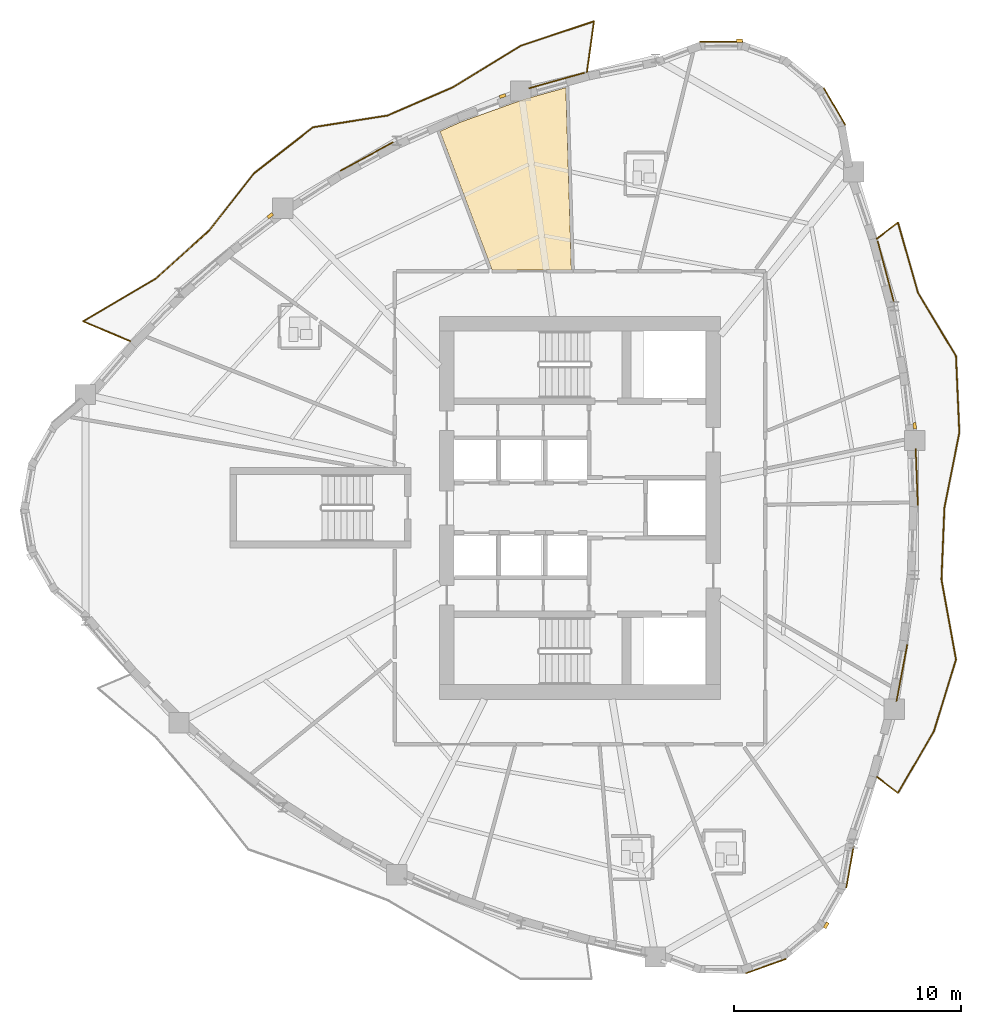
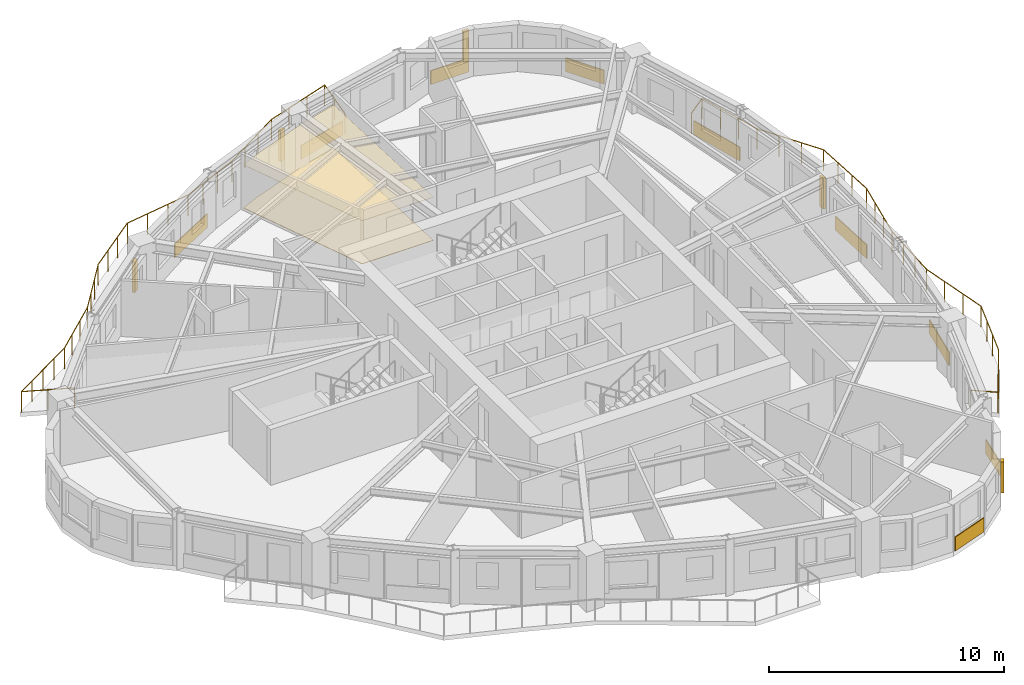
# One storey, part 11 of 12: 11 coverings, 5 shading devices, 2 railings.
"""IFC4 building model written with IfcOpenShell, lengths in metres."""

from ifc_helpers import new_model, si_unit, direction, frame, origin, origin_2d, place, context, subcontext, project, spatial, polyline, rectangle, circle, outline, extrude, source, transform, mapped, material, layer, layer_set, type_object, element, save


model = new_model("IFC4")

# Units and contexts
model_context = context("Model", 3, precision=1e-05, world=origin(), true_north=direction((0.0, 1.0)))
body_context = subcontext(model_context, "Body", "Model", "MODEL_VIEW")
ifc_project = project(units=[si_unit("LENGTHUNIT", "METRE"), si_unit("AREAUNIT", "SQUARE_METRE"), si_unit("VOLUMEUNIT", "CUBIC_METRE"), si_unit("PLANEANGLEUNIT", "RADIAN"), si_unit("MASSUNIT", "GRAM", prefix="KILO")], contexts=[model_context])

# Site, building, storey
site_placement = place(None, origin())
site = spatial("IfcSite", under=ifc_project, at=site_placement, CompositionType="ELEMENT")
building_placement = place(site_placement, origin())
building = spatial("IfcBuilding", under=site, at=building_placement, Name="Qafzar Sky-Pleat Residences", CompositionType="ELEMENT")
storey_placement = place(building_placement, frame((0.0, 0.0, 124.800048828125)))
storey = spatial("IfcBuildingStorey", under=building, at=storey_placement, Name="L37", CompositionType="ELEMENT", Elevation=124.800048828125)

# Coverings
ifc_material_1 = material(Name="Perforated acoustic gypsum board ceiling")
ifc_layer_1 = layer(ifc_material_1, 0.02001953125)
ifc_layer_set_1 = layer_set([ifc_layer_1], Name="Perforated acoustic gypsum board ceiling")
covering_type_1 = type_object("IfcCoveringType", Name="COV-CEIL-ACOUSTIC", PredefinedType="CEILING", material=ifc_layer_set_1)
covering_1_placement = place(storey_placement, frame((0.0, 0.0, 2.239990234375)))
element("IfcCovering", 1, at=covering_1_placement, inside=storey, type_object=covering_type_1, Name="L37 Communal Kitchen Acoustic Ceiling", PredefinedType="CEILING", context=body_context, shape_type="SweptSolid", body=[
    extrude(outline(polyline([(27.864013671875, 44.015380859375), (29.726806640625, 44.53662109375), (29.97119140625, 36.489990234375), (26.4736328125, 36.489990234375), (24.174560546875, 42.6103515625), (25.094482421875, 43.020263671875), (27.864013671875, 44.015380859375)])), origin(), (0.0, 0.0, 1.0), 0.02001953125),
])
ifc_material_2 = material(Name="Honed porcelain and Riyadh stone tile flooring", Category="masonry")
ifc_layer_2 = layer(ifc_material_2, 0.02001953125)
ifc_layer_set_2 = layer_set([ifc_layer_2], Name="Honed porcelain and Riyadh stone tile flooring")
covering_type_2 = type_object("IfcCoveringType", Name="COV-FLR-PORCELAIN", PredefinedType="FLOORING", material=ifc_layer_set_2)
covering_2_placement = place(storey_placement, origin())
element("IfcCovering", 2, at=covering_2_placement, inside=storey, type_object=covering_type_2, Name="L37 Communal Kitchen Honed Stone Flooring", PredefinedType="FLOORING", context=body_context, shape_type="SweptSolid", body=[
    extrude(outline(polyline([(27.864013671875, 44.015380859375), (29.726806640625, 44.53662109375), (29.97119140625, 36.489990234375), (26.4736328125, 36.489990234375), (24.174560546875, 42.6103515625), (25.094482421875, 43.020263671875), (27.864013671875, 44.015380859375)])), origin(), (0.0, 0.0, 1.0), 0.02001953125),
])

# Shading devices
ifc_material_3 = material(Name="Honed Riyadh limestone solar fin", Category="masonry")
ifc_layer_3 = layer(ifc_material_3, 0.139892578125)
ifc_layer_set_3 = layer_set([ifc_layer_3], Name="Honed Riyadh limestone solar fin")
shading_device_type = type_object("IfcShadingDeviceType", Name="SHD-FIN-STONE", PredefinedType="SHUTTER", material=ifc_layer_set_3)
shared_shape_1 = source(origin(), body_context, "Body", "SweptSolid", [
    extrude(rectangle(XDim=0.139892578125, YDim=0.280029296875, at=origin_2d()), origin(), (0.0, 0.0, 1.0), 1.60009765625),
])
for number, where, z_axis, x_axis, name in (
    (3, (41.214111328125, 7.57666015625, 0.599853515625), (0.0, 0.0, 1.0), (0.864874104555, -0.501988827833, 0.0), "L37 Limestone Solar Fin 21"),
    (4, (45.11865234375, 29.6123046875, 0.599853515625), (0.0, 0.0, 1.0), (0.993563843367, 0.11327351479, 0.0), "L37 Limestone Solar Fin 29"),
    (5, (37.387939453125, 46.609130859375, 0.599853515625), (0.0, 0.0, 1.0), (-0.006821393447, 0.999976734025, 0.0), "L37 Limestone Solar Fin 37"),
    (6, (26.93798828125, 44.166015625, 0.599853515625), (0.0, 0.0, 1.0), (-0.338171251252, 0.941084589623, 0.0), "L37 Limestone Solar Fin 41"),
    (7, (16.68310546875, 38.885498046875, 0.599853515625), (0.0, 0.0, 1.0), (-0.602208472618, 0.798338872602, 0.0), "L37 Limestone Solar Fin 45"),
):
    element("IfcShadingDevice", number, at=place(storey_placement, frame(where, z_axis=z_axis, x_axis=x_axis)), inside=storey, type_object=shading_device_type, Name=name, PredefinedType="SHUTTER", context=body_context, shape_type="MappedRepresentation", body=[
        mapped(shared_shape_1, transform((0.0, 0.0, 0.0), x_axis=(1.0, 0.0, 0.0), y_axis=(0.0, 1.0, 0.0), z_axis=(0.0, 0.0, 1.0), scale=1.0)),
    ])

# Coverings
ifc_material_4 = material(Name="Honed Riyadh Tuwaiq limestone cladding", Category="masonry")
ifc_layer_4 = layer(ifc_material_4, 0.044921875)
ifc_layer_set_4 = layer_set([ifc_layer_4], Name="Honed Riyadh Tuwaiq limestone cladding")
covering_type_3 = type_object("IfcCoveringType", Name="COV-CLAD-STONE", PredefinedType="CLADDING", material=ifc_layer_set_4)
shared_shape_2 = source(origin(), body_context, "Body", "SweptSolid", [
    extrude(rectangle(XDim=1.88916015625, YDim=0.044921875, at=origin_2d()), origin(), (0.0, 0.0, 1.0), 0.719970703125),
])
for number, where, z_axis, x_axis, name in (
    (8, (38.554443359375, 5.774658203125, 0.02001953125), (0.0, 0.0, 1.0), (0.941518591784, 0.336961038289, 0.0), "L37 Riyadh Limestone Spandrel Cladding 19"),
    (9, (41.5810546875, 43.70556640625, 0.02001953125), (0.0, 0.0, 1.0), (-0.50197689344, 0.864881031387, 0.0), "L37 Riyadh Limestone Spandrel Cladding 34"),
    (10, (36.583251953125, 46.560546875, 0.02001953125), (0.0, 0.0, 1.0), (-0.99997646822, -0.006860248279, 0.0), "L37 Riyadh Limestone Spandrel Cladding 37"),
):
    element("IfcCovering", number, at=place(storey_placement, frame(where, z_axis=z_axis, x_axis=x_axis)), inside=storey, type_object=covering_type_3, Name=name, PredefinedType="CLADDING", context=body_context, shape_type="MappedRepresentation", body=[
        mapped(shared_shape_2, transform((0.0, 0.0, 0.0), x_axis=(1.0, 0.0, 0.0), y_axis=(0.0, 1.0, 0.0), z_axis=(0.0, 0.0, 1.0), scale=1.0)),
    ])
shared_shape_3 = source(origin(), body_context, "Body", "SweptSolid", [
    extrude(rectangle(XDim=1.8369140625, YDim=0.044921875, at=origin_2d()), origin(), (0.0, 0.0, 1.0), 0.719970703125),
])
covering_3_placement = place(storey_placement, frame((42.2626953125, 10.14404296875, 0.02001953125), z_axis=(0.0, 0.0, 1.0), x_axis=(0.174361037484, 0.984681790533, 0.0)))
element("IfcCovering", 11, at=covering_3_placement, inside=storey, type_object=covering_type_3, Name="L37 Riyadh Limestone Spandrel Cladding 22", PredefinedType="CLADDING", context=body_context, shape_type="MappedRepresentation", body=[
    mapped(shared_shape_3, transform((0.0, 0.0, 0.0), x_axis=(1.0, 0.0, 0.0), y_axis=(0.0, 1.0, 0.0), z_axis=(0.0, 0.0, 1.0), scale=1.0)),
])

# Railings
ifc_material_5 = material(Name="Laminated glass and bronze steel balustrade", Category="steel")
railing_type = type_object("IfcRailingType", Name="RAIL-BAL-1100", PredefinedType="BALUSTRADE", material=ifc_material_5)
shared_shape_4 = source(origin(), body_context, "Body", "SweptSolid", [
    extrude(circle(Radius=0.02392578125, at=origin_2d()), frame((0.0, 0.0, 1.076171875), z_axis=(0.792932063794, -0.609310054248, 0.0), x_axis=(0.609310054248, 0.792932063794, 0.0)), (0.0, 0.0, 1.0), 1.177978515625),
    extrude(circle(Radius=0.02392578125, at=origin_2d()), frame((0.93408203125, -0.7177734375, 1.076171875), z_axis=(0.50280024579, 0.864402633519, 0.0), x_axis=(-0.864402633519, 0.50280024579, 0.0)), (0.0, 0.0, 1.0), 3.162353515625),
    extrude(circle(Radius=0.02392578125, at=origin_2d()), frame((2.524169921875, 2.015869140625, 1.076171875), z_axis=(0.293530849641, 0.955949601344, 0.0), x_axis=(-0.955949601344, 0.293530849641, 0.0)), (0.0, 0.0, 1.0), 3.307861328125),
    extrude(circle(Radius=0.02392578125, at=origin_2d()), frame((3.4951171875, 5.177978515625, 1.076171875), z_axis=(-0.179185435941, 0.983815317804, 0.0), x_axis=(-0.983815317804, -0.179185435941, 0.0)), (0.0, 0.0, 1.0), 3.58056640625),
    extrude(circle(Radius=0.02392578125, at=origin_2d()), frame((2.853515625, 8.70068359375, 1.076171875), z_axis=(0.040954900218, 0.99916099611, 0.0), x_axis=(-0.99916099611, 0.040954900218, 0.0)), (0.0, 0.0, 1.0), 3.17138671875),
    extrude(circle(Radius=0.02392578125, at=origin_2d()), frame((2.9833984375, 11.869384765625, 1.076171875), z_axis=(0.195321920693, 0.980739184134, 0.0), x_axis=(-0.980739184134, 0.195321920693, 0.0)), (0.0, 0.0, 1.0), 3.369873046875),
    extrude(circle(Radius=0.02392578125, at=origin_2d()), frame((3.6416015625, 15.17431640625, 1.076171875), z_axis=(-0.04321530311, 0.999065782407, 0.0), x_axis=(-0.999065782407, -0.04321530311, 0.0)), (0.0, 0.0, 1.0), 3.3896484375),
    extrude(circle(Radius=0.02392578125, at=origin_2d()), frame((3.4951171875, 18.560791015625, 1.076171875), z_axis=(-0.515846195278, 0.856681214231, 0.0), x_axis=(-0.856681214231, -0.515846195278, 0.0)), (0.0, 0.0, 1.0), 3.241943359375),
    extrude(circle(Radius=0.02392578125, at=origin_2d()), frame((1.82275390625, 21.338134765625, 1.076171875), z_axis=(-0.274064740499, 0.961711244613, 0.0), x_axis=(-0.961711244613, -0.274064740499, 0.0)), (0.0, 0.0, 1.0), 3.24267578125),
    extrude(circle(Radius=0.02392578125, at=origin_2d()), frame((0.93408203125, 24.45654296875, 1.076171875), z_axis=(-0.792932063794, -0.609310054248, 0.0), x_axis=(0.609310054248, -0.792932063794, 0.0)), (0.0, 0.0, 1.0), 1.177978515625),
    extrude(circle(Radius=0.02099609375, at=origin_2d()), origin(), (0.0, 0.0, 1.0), 1.052001953125),
    extrude(circle(Radius=0.02099609375, at=origin_2d()), frame((0.93408203125, -0.7177734375, 0.0)), (0.0, 0.0, 1.0), 1.052001953125),
    extrude(circle(Radius=0.02099609375, at=origin_2d()), frame((1.464111328125, 0.193359375, 0.0)), (0.0, 0.0, 1.0), 1.052001953125),
    extrude(circle(Radius=0.02099609375, at=origin_2d()), frame((1.994140625, 1.104736328125, 0.0)), (0.0, 0.0, 1.0), 1.052001953125),
    extrude(circle(Radius=0.02099609375, at=origin_2d()), frame((2.524169921875, 2.015869140625, 0.0)), (0.0, 0.0, 1.0), 1.052001953125),
    extrude(circle(Radius=0.02099609375, at=origin_2d()), frame((2.847900390625, 3.06982421875, 0.0)), (0.0, 0.0, 1.0), 1.052001953125),
    extrude(circle(Radius=0.02099609375, at=origin_2d()), frame((3.17138671875, 4.1240234375, 0.0)), (0.0, 0.0, 1.0), 1.052001953125),
    extrude(circle(Radius=0.02099609375, at=origin_2d()), frame((3.4951171875, 5.177978515625, 0.0)), (0.0, 0.0, 1.0), 1.052001953125),
    extrude(circle(Radius=0.02099609375, at=origin_2d()), frame((3.28125, 6.352294921875, 0.0)), (0.0, 0.0, 1.0), 1.052001953125),
    extrude(circle(Radius=0.02099609375, at=origin_2d()), frame((3.0673828125, 7.5263671875, 0.0)), (0.0, 0.0, 1.0), 1.052001953125),
    extrude(circle(Radius=0.02099609375, at=origin_2d()), frame((2.853515625, 8.70068359375, 0.0)), (0.0, 0.0, 1.0), 1.052001953125),
    extrude(circle(Radius=0.02099609375, at=origin_2d()), frame((2.896728515625, 9.7568359375, 0.0)), (0.0, 0.0, 1.0), 1.052001953125),
    extrude(circle(Radius=0.02099609375, at=origin_2d()), frame((2.940185546875, 10.813232421875, 0.0)), (0.0, 0.0, 1.0), 1.052001953125),
    extrude(circle(Radius=0.02099609375, at=origin_2d()), frame((2.9833984375, 11.869384765625, 0.0)), (0.0, 0.0, 1.0), 1.052001953125),
    extrude(circle(Radius=0.02099609375, at=origin_2d()), frame((3.202880859375, 12.970947265625, 0.0)), (0.0, 0.0, 1.0), 1.052001953125),
    extrude(circle(Radius=0.02099609375, at=origin_2d()), frame((3.422119140625, 14.07275390625, 0.0)), (0.0, 0.0, 1.0), 1.052001953125),
    extrude(circle(Radius=0.02099609375, at=origin_2d()), frame((3.6416015625, 15.17431640625, 0.0)), (0.0, 0.0, 1.0), 1.052001953125),
    extrude(circle(Radius=0.02099609375, at=origin_2d()), frame((3.5927734375, 16.30322265625, 0.0)), (0.0, 0.0, 1.0), 1.052001953125),
    extrude(circle(Radius=0.02099609375, at=origin_2d()), frame((3.5439453125, 17.431884765625, 0.0)), (0.0, 0.0, 1.0), 1.052001953125),
    extrude(circle(Radius=0.02099609375, at=origin_2d()), frame((3.4951171875, 18.560791015625, 0.0)), (0.0, 0.0, 1.0), 1.052001953125),
    extrude(circle(Radius=0.02099609375, at=origin_2d()), frame((2.937744140625, 19.486572265625, 0.0)), (0.0, 0.0, 1.0), 1.052001953125),
    extrude(circle(Radius=0.02099609375, at=origin_2d()), frame((2.380126953125, 20.412353515625, 0.0)), (0.0, 0.0, 1.0), 1.052001953125),
    extrude(circle(Radius=0.02099609375, at=origin_2d()), frame((1.82275390625, 21.338134765625, 0.0)), (0.0, 0.0, 1.0), 1.052001953125),
    extrude(circle(Radius=0.02099609375, at=origin_2d()), frame((1.526611328125, 22.377685546875, 0.0)), (0.0, 0.0, 1.0), 1.052001953125),
    extrude(circle(Radius=0.02099609375, at=origin_2d()), frame((1.230224609375, 23.4169921875, 0.0)), (0.0, 0.0, 1.0), 1.052001953125),
    extrude(circle(Radius=0.02099609375, at=origin_2d()), frame((0.93408203125, 24.45654296875, 0.0)), (0.0, 0.0, 1.0), 1.052001953125),
    extrude(circle(Radius=0.02099609375, at=origin_2d()), frame((0.0, 23.73876953125, 0.0)), (0.0, 0.0, 1.0), 1.052001953125),
])
railing_1_placement = place(storey_placement, frame((43.4462890625, 14.130615234375, 0.0)))
element("IfcRailing", 12, at=railing_1_placement, inside=storey, type_object=railing_type, Name="L37 Pleated Balcony 1 Balustrade", PredefinedType="BALUSTRADE", context=body_context, shape_type="MappedRepresentation", body=[
    mapped(shared_shape_4, transform((0.0, 0.0, 0.0), x_axis=(1.0, 0.0, 0.0), y_axis=(0.0, 1.0, 0.0), z_axis=(0.0, 0.0, 1.0), scale=1.0)),
])
shared_shape_5 = source(origin(), body_context, "Body", "SweptSolid", [
    extrude(circle(Radius=0.02392578125, at=origin_2d()), frame((0.0, 0.0, 1.076171875), z_axis=(0.136964805179, 0.990575914376, 0.0), x_axis=(-0.990575914376, 0.136964805179, 0.0)), (0.0, 0.0, 1.0), 2.27099609375),
    extrude(circle(Radius=0.02392578125, at=origin_2d()), frame((0.31103515625, 2.24951171875, 1.076171875), z_axis=(-0.948504991036, -0.316762185211, 0.0), x_axis=(0.316762185211, -0.948504991036, 0.0)), (0.0, 0.0, 1.0), 3.426025390625),
    extrude(circle(Radius=0.02392578125, at=origin_2d()), frame((-2.9384765625, 1.164306640625, 1.076171875), z_axis=(-0.85265153756, -0.522480004877, 0.0), x_axis=(0.522480004877, -0.85265153756, 0.0)), (0.0, 0.0, 1.0), 3.48876953125),
    extrude(circle(Radius=0.02392578125, at=origin_2d()), frame((-5.9130859375, -0.658447265625, 1.076171875), z_axis=(-0.917493090818, -0.397751716906, 0.0), x_axis=(0.397751716906, -0.917493090818, 0.0)), (0.0, 0.0, 1.0), 3.134033203125),
    extrude(circle(Radius=0.02392578125, at=origin_2d()), frame((-8.78857421875, -1.905029296875, 1.076171875), z_axis=(-0.987837119811, -0.155492201486, 0.0), x_axis=(0.155492201486, -0.987837119811, 0.0)), (0.0, 0.0, 1.0), 3.331787109375),
    extrude(circle(Radius=0.02392578125, at=origin_2d()), frame((-12.079833984375, -2.423095703125, 1.076171875), z_axis=(-0.788517401725, -0.615012444733, 0.0), x_axis=(0.615012444733, -0.788517401725, 0.0)), (0.0, 0.0, 1.0), 3.2939453125),
    extrude(circle(Radius=0.02392578125, at=origin_2d()), frame((-14.67724609375, -4.448974609375, 1.076171875), z_axis=(-0.617419143913, -0.786634350083, 0.0), x_axis=(0.786634350083, -0.617419143913, 0.0)), (0.0, 0.0, 1.0), 3.216064453125),
    extrude(circle(Radius=0.02392578125, at=origin_2d()), frame((-16.662841796875, -6.978759765625, 1.076171875), z_axis=(-0.742752641573, -0.669565914184, 0.0), x_axis=(0.669565914184, -0.742752641573, 0.0)), (0.0, 0.0, 1.0), 3.162353515625),
    extrude(circle(Radius=0.02392578125, at=origin_2d()), frame((-19.01171875, -9.09619140625, 1.076171875), z_axis=(-0.861538461538, -0.507692307692, 0.0), x_axis=(0.507692307692, -0.861538461538, 0.0)), (0.0, 0.0, 1.0), 3.729248046875),
    extrude(circle(Radius=0.02392578125, at=origin_2d()), frame((-22.224609375, -10.989501953125, 1.076171875), z_axis=(0.92188612013, -0.387460941918, 0.0), x_axis=(0.387460941918, 0.92188612013, 0.0)), (0.0, 0.0, 1.0), 2.27099609375),
    extrude(circle(Radius=0.02099609375, at=origin_2d()), origin(), (0.0, 0.0, 1.0), 1.052001953125),
    extrude(circle(Radius=0.02099609375, at=origin_2d()), frame((0.155517578125, 1.124755859375, 0.0)), (0.0, 0.0, 1.0), 1.052001953125),
    extrude(circle(Radius=0.02099609375, at=origin_2d()), frame((0.31103515625, 2.24951171875, 0.0)), (0.0, 0.0, 1.0), 1.052001953125),
    extrude(circle(Radius=0.02099609375, at=origin_2d()), frame((-0.772216796875, 1.8876953125, 0.0)), (0.0, 0.0, 1.0), 1.052001953125),
    extrude(circle(Radius=0.02099609375, at=origin_2d()), frame((-1.855224609375, 1.526123046875, 0.0)), (0.0, 0.0, 1.0), 1.052001953125),
    extrude(circle(Radius=0.02099609375, at=origin_2d()), frame((-2.9384765625, 1.164306640625, 0.0)), (0.0, 0.0, 1.0), 1.052001953125),
    extrude(circle(Radius=0.02099609375, at=origin_2d()), frame((-3.929931640625, 0.556640625, 0.0)), (0.0, 0.0, 1.0), 1.052001953125),
    extrude(circle(Radius=0.02099609375, at=origin_2d()), frame((-4.921630859375, -0.05078125, 0.0)), (0.0, 0.0, 1.0), 1.052001953125),
    extrude(circle(Radius=0.02099609375, at=origin_2d()), frame((-5.9130859375, -0.658447265625, 0.0)), (0.0, 0.0, 1.0), 1.052001953125),
    extrude(circle(Radius=0.02099609375, at=origin_2d()), frame((-6.87158203125, -1.073974609375, 0.0)), (0.0, 0.0, 1.0), 1.052001953125),
    extrude(circle(Radius=0.02099609375, at=origin_2d()), frame((-7.830078125, -1.489501953125, 0.0)), (0.0, 0.0, 1.0), 1.052001953125),
    extrude(circle(Radius=0.02099609375, at=origin_2d()), frame((-8.78857421875, -1.905029296875, 0.0)), (0.0, 0.0, 1.0), 1.052001953125),
    extrude(circle(Radius=0.02099609375, at=origin_2d()), frame((-9.8857421875, -2.07763671875, 0.0)), (0.0, 0.0, 1.0), 1.052001953125),
    extrude(circle(Radius=0.02099609375, at=origin_2d()), frame((-10.982666015625, -2.25048828125, 0.0)), (0.0, 0.0, 1.0), 1.052001953125),
    extrude(circle(Radius=0.02099609375, at=origin_2d()), frame((-12.079833984375, -2.423095703125, 0.0)), (0.0, 0.0, 1.0), 1.052001953125),
    extrude(circle(Radius=0.02099609375, at=origin_2d()), frame((-12.945556640625, -3.098388671875, 0.0)), (0.0, 0.0, 1.0), 1.052001953125),
    extrude(circle(Radius=0.02099609375, at=origin_2d()), frame((-13.8115234375, -3.773681640625, 0.0)), (0.0, 0.0, 1.0), 1.052001953125),
    extrude(circle(Radius=0.02099609375, at=origin_2d()), frame((-14.67724609375, -4.448974609375, 0.0)), (0.0, 0.0, 1.0), 1.052001953125),
    extrude(circle(Radius=0.02099609375, at=origin_2d()), frame((-15.339111328125, -5.292236328125, 0.0)), (0.0, 0.0, 1.0), 1.052001953125),
    extrude(circle(Radius=0.02099609375, at=origin_2d()), frame((-16.0009765625, -6.135498046875, 0.0)), (0.0, 0.0, 1.0), 1.052001953125),
    extrude(circle(Radius=0.02099609375, at=origin_2d()), frame((-16.662841796875, -6.978759765625, 0.0)), (0.0, 0.0, 1.0), 1.052001953125),
    extrude(circle(Radius=0.02099609375, at=origin_2d()), frame((-17.44580078125, -7.6845703125, 0.0)), (0.0, 0.0, 1.0), 1.052001953125),
    extrude(circle(Radius=0.02099609375, at=origin_2d()), frame((-18.228759765625, -8.390380859375, 0.0)), (0.0, 0.0, 1.0), 1.052001953125),
    extrude(circle(Radius=0.02099609375, at=origin_2d()), frame((-19.01171875, -9.09619140625, 0.0)), (0.0, 0.0, 1.0), 1.052001953125),
    extrude(circle(Radius=0.02099609375, at=origin_2d()), frame((-19.81494140625, -9.569580078125, 0.0)), (0.0, 0.0, 1.0), 1.052001953125),
    extrude(circle(Radius=0.02099609375, at=origin_2d()), frame((-20.6181640625, -10.04296875, 0.0)), (0.0, 0.0, 1.0), 1.052001953125),
    extrude(circle(Radius=0.02099609375, at=origin_2d()), frame((-21.42138671875, -10.51611328125, 0.0)), (0.0, 0.0, 1.0), 1.052001953125),
    extrude(circle(Radius=0.02099609375, at=origin_2d()), frame((-22.224609375, -10.989501953125, 0.0)), (0.0, 0.0, 1.0), 1.052001953125),
    extrude(circle(Radius=0.02099609375, at=origin_2d()), frame((-21.177734375, -11.429443359375, 0.0)), (0.0, 0.0, 1.0), 1.052001953125),
    extrude(circle(Radius=0.02099609375, at=origin_2d()), frame((-20.131103515625, -11.869384765625, 0.0)), (0.0, 0.0, 1.0), 1.052001953125),
])
railing_2_placement = place(storey_placement, frame((30.656494140625, 45.212890625, 0.0)))
element("IfcRailing", 13, at=railing_2_placement, inside=storey, type_object=railing_type, Name="L37 Pleated Balcony 2 Balustrade", PredefinedType="BALUSTRADE", context=body_context, shape_type="MappedRepresentation", body=[
    mapped(shared_shape_5, transform((0.0, 0.0, 0.0), x_axis=(1.0, 0.0, 0.0), y_axis=(0.0, 1.0, 0.0), z_axis=(0.0, 0.0, 1.0), scale=1.0)),
])

# Coverings
shared_shape_6 = source(origin(), body_context, "Body", "SweptSolid", [
    extrude(rectangle(XDim=2.5439453125, YDim=0.044921875, at=origin_2d()), origin(), (0.0, 0.0, 1.0), 0.719970703125),
])
covering_4_placement = place(storey_placement, frame((44.553955078125, 18.713623046875, 0.02001953125), z_axis=(0.0, 0.0, 1.0), x_axis=(0.186691035314, 0.982418677211, 0.0)))
element("IfcCovering", 14, at=covering_4_placement, inside=storey, type_object=covering_type_3, Name="L37 Riyadh Limestone Spandrel Cladding 25", PredefinedType="CLADDING", context=body_context, shape_type="MappedRepresentation", body=[
    mapped(shared_shape_6, transform((0.0, 0.0, 0.0), x_axis=(1.0, 0.0, 0.0), y_axis=(0.0, 1.0, 0.0), z_axis=(0.0, 0.0, 1.0), scale=1.0)),
])
shared_shape_7 = source(origin(), body_context, "Body", "SweptSolid", [
    extrude(rectangle(XDim=2.498046875, YDim=0.044921875, at=origin_2d()), origin(), (0.0, 0.0, 1.0), 0.719970703125),
])
covering_5_placement = place(storey_placement, frame((45.21044921875, 27.349609375, 0.02001953125), z_axis=(0.0, 0.0, 1.0), x_axis=(-0.037973744912, 0.999278737239, 0.0)))
element("IfcCovering", 15, at=covering_5_placement, inside=storey, type_object=covering_type_3, Name="L37 Riyadh Limestone Spandrel Cladding 28", PredefinedType="CLADDING", context=body_context, shape_type="MappedRepresentation", body=[
    mapped(shared_shape_7, transform((0.0, 0.0, 0.0), x_axis=(1.0, 0.0, 0.0), y_axis=(0.0, 1.0, 0.0), z_axis=(0.0, 0.0, 1.0), scale=1.0)),
])
shared_shape_8 = source(origin(), body_context, "Body", "SweptSolid", [
    extrude(rectangle(XDim=2.778076171875, YDim=0.044921875, at=origin_2d()), origin(), (0.0, 0.0, 1.0), 0.719970703125),
])
covering_6_placement = place(storey_placement, frame((43.844970703125, 36.4130859375, 0.02001953125), z_axis=(0.0, 0.0, 1.0), x_axis=(-0.257075814688, 0.966391238321, 0.0)))
element("IfcCovering", 16, at=covering_6_placement, inside=storey, type_object=covering_type_3, Name="L37 Riyadh Limestone Spandrel Cladding 31", PredefinedType="CLADDING", context=body_context, shape_type="MappedRepresentation", body=[
    mapped(shared_shape_8, transform((0.0, 0.0, 0.0), x_axis=(1.0, 0.0, 0.0), y_axis=(0.0, 1.0, 0.0), z_axis=(0.0, 0.0, 1.0), scale=1.0)),
])
shared_shape_9 = source(origin(), body_context, "Body", "SweptSolid", [
    extrude(rectangle(XDim=2.546142578125, YDim=0.044921875, at=origin_2d()), origin(), (0.0, 0.0, 1.0), 0.719970703125),
])
covering_7_placement = place(storey_placement, frame((29.3232421875, 44.8515625, 0.02001953125), z_axis=(0.0, 0.0, 1.0), x_axis=(-0.963031172713, -0.269389978251, 0.0)))
element("IfcCovering", 17, at=covering_7_placement, inside=storey, type_object=covering_type_3, Name="L37 Riyadh Limestone Spandrel Cladding 40", PredefinedType="CLADDING", context=body_context, shape_type="MappedRepresentation", body=[
    mapped(shared_shape_9, transform((0.0, 0.0, 0.0), x_axis=(1.0, 0.0, 0.0), y_axis=(0.0, 1.0, 0.0), z_axis=(0.0, 0.0, 1.0), scale=1.0)),
])
shared_shape_10 = source(origin(), body_context, "Body", "SweptSolid", [
    extrude(rectangle(XDim=2.6455078125, YDim=0.044921875, at=origin_2d()), origin(), (0.0, 0.0, 1.0), 0.719970703125),
])
covering_8_placement = place(storey_placement, frame((20.943603515625, 41.498291015625, 0.02001953125), z_axis=(0.0, 0.0, 1.0), x_axis=(-0.880073172957, -0.474838088448, 0.0)))
element("IfcCovering", 18, at=covering_8_placement, inside=storey, type_object=covering_type_3, Name="L37 Riyadh Limestone Spandrel Cladding 43", PredefinedType="CLADDING", context=body_context, shape_type="MappedRepresentation", body=[
    mapped(shared_shape_10, transform((0.0, 0.0, 0.0), x_axis=(1.0, 0.0, 0.0), y_axis=(0.0, 1.0, 0.0), z_axis=(0.0, 0.0, 1.0), scale=1.0)),
])

save(model, "model.ifc")
